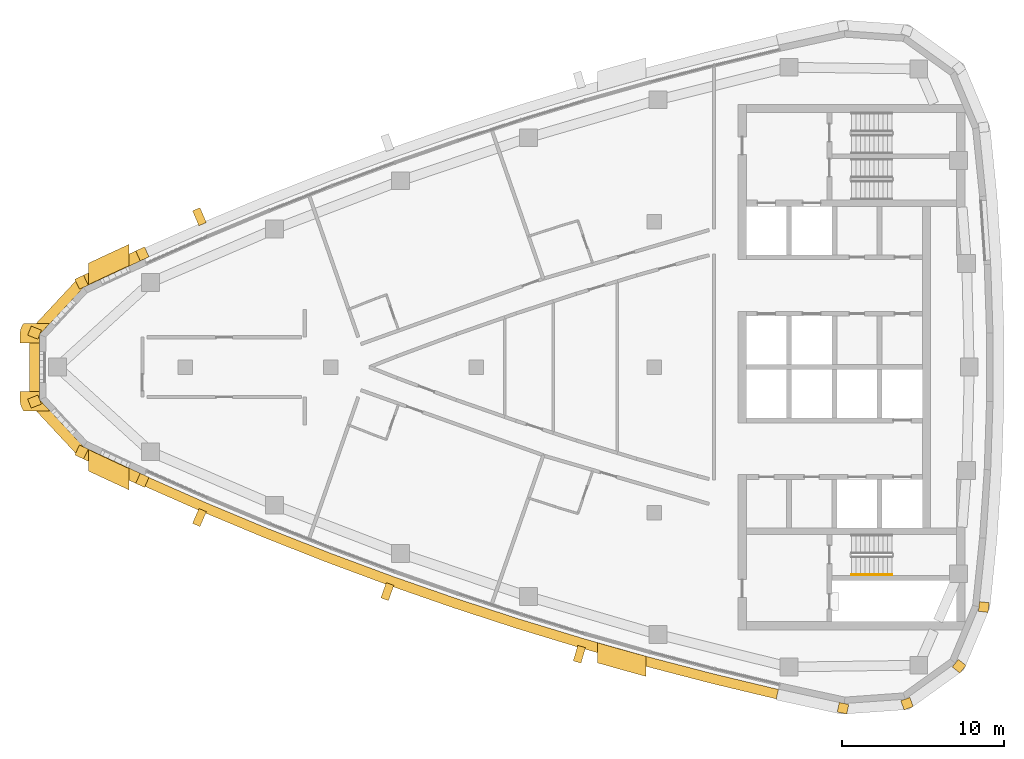
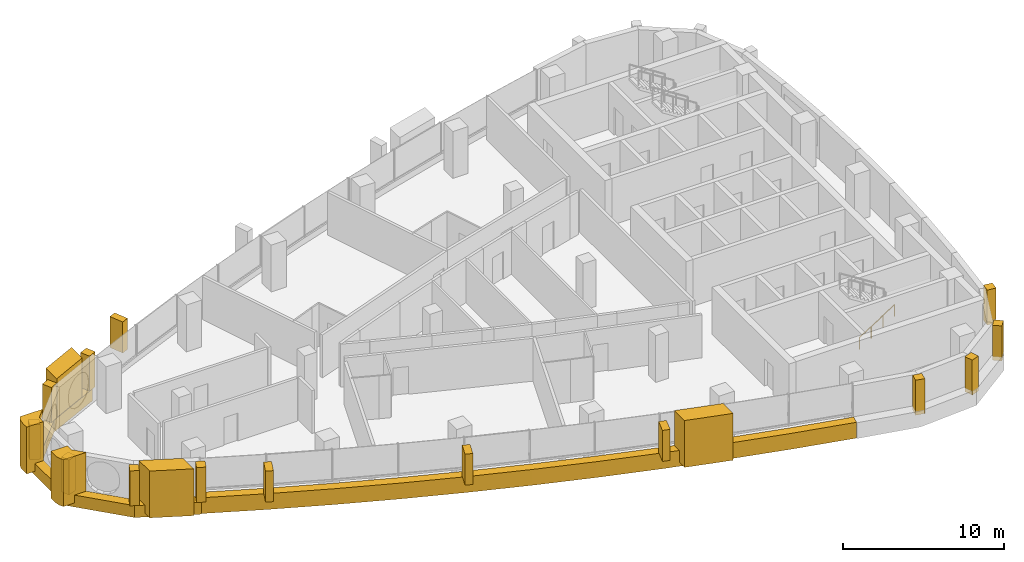
# One storey, part 10 of 13: 21 coverings, 1 railing.
"""IFC4 building model written with IfcOpenShell, lengths in metres."""

from ifc_helpers import new_model, si_unit, direction, frame, frame_2d, origin, origin_2d, place, context, subcontext, project, spatial, polyline, rectangle, circle, outline, extrude, material, layer, layer_set, type_object, element, save


model = new_model("IFC4")

# Units and contexts
model_context = context("Model", 3, precision=1e-05, world=origin(), true_north=direction((0.0, 1.0)))
body_context = subcontext(model_context, "Body", "Model", "MODEL_VIEW")
ifc_project = project(units=[si_unit("LENGTHUNIT", "METRE"), si_unit("AREAUNIT", "SQUARE_METRE"), si_unit("VOLUMEUNIT", "CUBIC_METRE"), si_unit("PLANEANGLEUNIT", "RADIAN"), si_unit("MASSUNIT", "GRAM", prefix="KILO")], contexts=[model_context])

# Site, building, storey
site_placement = place(None, origin())
site = spatial("IfcSite", under=ifc_project, at=site_placement, CompositionType="ELEMENT")
building_placement = place(site_placement, origin())
building = spatial("IfcBuilding", under=site, at=building_placement, Name="Ostrand Prow Hotel Tower", CompositionType="ELEMENT")
storey_placement = place(building_placement, frame((0.0, 0.0, 282.10009765625)))
storey = spatial("IfcBuildingStorey", under=building, at=storey_placement, Name="L71", CompositionType="ELEMENT", Elevation=282.10009765625)

# Coverings
ifc_material_1 = material(Name="Bronze anodised aluminium cladding", Category="aluminium")
ifc_layer_1 = layer(ifc_material_1, 0.60009765625)
ifc_layer_set_1 = layer_set([ifc_layer_1], Name="Bronze anodised aluminium cladding")
covering_type_1 = type_object("IfcCoveringType", Name="Bronze prow band 899x600", PredefinedType="CLADDING", material=ifc_layer_set_1)
covering_1_placement = place(storey_placement, frame((0.0, 0.0, -0.300048828125)))
element("IfcCovering", 1, at=covering_1_placement, inside=storey, type_object=covering_type_1, Name="Bronze prow band", PredefinedType="CLADDING", context=body_context, shape_type="SweptSolid", body=[
    extrude(outline(polyline([(13.195068359375, 7.316162109375), (9.424560546875, 5.559814453125), (6.348388671875, 2.2568359375), (6.348388671875, -2.2568359375), (9.424560546875, -5.559814453125), (13.195068359375, -7.316162109375), (13.47607421875, -6.697021484375), (9.718017578125, -4.9462890625), (6.981201171875, -2.0078125), (6.981201171875, 2.0078125), (9.718017578125, 4.9462890625), (13.47607421875, 6.697021484375), (13.195068359375, 7.316162109375)])), origin(), (0.0, 0.0, 1.0), 0.89990234375),
])
ifc_material_2 = material(Name="Bronze anodised aluminium cladding", Category="aluminium")
ifc_layer_2 = layer(ifc_material_2, 0.60009765625)
ifc_layer_set_2 = layer_set([ifc_layer_2], Name="Bronze anodised aluminium cladding")
covering_type_2 = type_object("IfcCoveringType", Name="Bronze spandrel band 1200x600", PredefinedType="CLADDING", material=ifc_layer_set_2)
covering_2_placement = place(storey_placement, frame((0.0, 0.0, -0.300048828125)))
element("IfcCovering", 2, at=covering_2_placement, inside=storey, type_object=covering_type_2, Name="Spandrel band S1", PredefinedType="CLADDING", context=body_context, shape_type="SweptSolid", body=[
    extrude(outline(polyline([(13.220947265625, -7.25927734375), (17.02490234375, -8.938720703125), (20.86181640625, -10.541748046875), (24.72998046875, -12.067138671875), (28.62841796875, -13.514404296875), (32.5546875, -14.88330078125), (36.508056640625, -16.172607421875), (40.486328125, -17.382568359375), (44.48828125, -18.51220703125), (48.51220703125, -19.56103515625), (52.55615234375, -20.52880859375), (52.68994140625, -19.94384765625), (48.65771484375, -18.97900390625), (44.6455078125, -17.93310546875), (40.6552734375, -16.806884765625), (36.6884765625, -15.6005859375), (32.74658203125, -14.314697265625), (28.83154296875, -12.949951171875), (24.944580078125, -11.5068359375), (21.08740234375, -9.98583984375), (17.26171875, -8.3876953125), (13.468994140625, -6.712890625), (13.220947265625, -7.25927734375)])), origin(), (0.0, 0.0, 1.0), 1.199951171875),
])
ifc_material_3 = material(Name="Limestone cladding", Category="masonry")
ifc_layer_3 = layer(ifc_material_3, 5.0)
ifc_layer_set_3 = layer_set([ifc_layer_3], Name="Limestone cladding")
covering_type_3 = type_object("IfcCoveringType", Name="Portal jamb pilaster limestone", PredefinedType="CLADDING", material=ifc_layer_set_3)
covering_3_placement = place(storey_placement, origin())
element("IfcCovering", 3, at=covering_3_placement, inside=storey, type_object=covering_type_3, Name="Portal jamb SA L71", PredefinedType="CLADDING", context=body_context, shape_type="SweptSolid", body=[
    extrude(outline(polyline([(10.0, -5.10009765625), (10.0, -6.428466796875), (10.833251953125, -6.8203125), (11.666748046875, -7.20751953125), (12.5, -7.590087890625), (12.5, -6.270263671875), (11.666748046875, -5.884765625), (10.833251953125, -5.494873046875), (10.0, -5.10009765625)])), origin(), (0.0, 0.0, 1.0), 3.5498046875),
])
covering_4_placement = place(storey_placement, origin())
element("IfcCovering", 4, at=covering_4_placement, inside=storey, type_object=covering_type_3, Name="Portal jamb SB L71", PredefinedType="CLADDING", context=body_context, shape_type="SweptSolid", body=[
    extrude(outline(polyline([(41.5, -17.052490234375), (41.5, -18.301025390625), (42.5, -18.585205078125), (43.5, -18.86376953125), (44.5, -19.136962890625), (44.5, -17.8935546875), (43.5, -17.61865234375), (42.5, -17.338134765625), (41.5, -17.052490234375)])), origin(), (0.0, 0.0, 1.0), 3.5498046875),
])
covering_5_placement = place(storey_placement, origin())
element("IfcCovering", 5, at=covering_5_placement, inside=storey, type_object=covering_type_3, Name="Portal jamb NA L71", PredefinedType="CLADDING", context=body_context, shape_type="SweptSolid", body=[
    extrude(outline(polyline([(10.0, 5.10009765625), (10.833251953125, 5.494873046875), (11.666748046875, 5.884765625), (12.5, 6.270263671875), (12.5, 7.590087890625), (11.666748046875, 7.20751953125), (10.833251953125, 6.8203125), (10.0, 6.428466796875), (10.0, 5.10009765625)])), origin(), (0.0, 0.0, 1.0), 3.5498046875),
])
ifc_material_4 = material(Name="Limestone cladding", Category="masonry")
ifc_layer_4 = layer(ifc_material_4, 0.5)
ifc_layer_set_4 = layer_set([ifc_layer_4], Name="Limestone cladding")
covering_type_4 = type_object("IfcCoveringType", Name="Precast stone fin 500x900", PredefinedType="CLADDING", material=ifc_layer_set_4)
covering_6_placement = place(storey_placement, frame((17.064453125, -8.846923828125, 0.89990234375), z_axis=(0.0, 0.0, 1.0), x_axis=(-0.394714590234, -0.918803783327, 0.0)))
element("IfcCovering", 6, at=covering_6_placement, inside=storey, type_object=covering_type_4, Name="Stone fin S 2", PredefinedType="CLADDING", context=body_context, shape_type="SweptSolid", body=[
    extrude(rectangle(XDim=1.000244140625, YDim=0.5, at=frame_2d((0.5, 0.0))), origin(), (0.0, 0.0, 1.0), 2.35009765625),
])
covering_7_placement = place(storey_placement, frame((28.662109375, -13.42041015625, 0.89990234375), z_axis=(0.0, 0.0, 1.0), x_axis=(-0.338624368902, -0.940921642213, 0.0)))
element("IfcCovering", 7, at=covering_7_placement, inside=storey, type_object=covering_type_4, Name="Stone fin S 5", PredefinedType="CLADDING", context=body_context, shape_type="SweptSolid", body=[
    extrude(rectangle(XDim=1.0, YDim=0.5, at=frame_2d((0.5, 0.0))), origin(), (0.0, 0.0, 1.0), 2.35009765625),
])
covering_8_placement = place(storey_placement, frame((40.5146484375, -17.28662109375, 0.89990234375), z_axis=(0.0, 0.0, 1.0), x_axis=(-0.281293696661, -0.959621725587, 0.0)))
element("IfcCovering", 8, at=covering_8_placement, inside=storey, type_object=covering_type_4, Name="Stone fin S 8", PredefinedType="CLADDING", context=body_context, shape_type="SweptSolid", body=[
    extrude(rectangle(XDim=0.999755859375, YDim=0.5, at=frame_2d((0.5, 0.0))), origin(), (0.0, 0.0, 1.0), 2.35009765625),
])
covering_9_placement = place(storey_placement, frame((17.064453125, 8.846923828125, 0.89990234375), z_axis=(0.0, 0.0, 1.0), x_axis=(-0.394714590234, 0.918803783327, 0.0)))
element("IfcCovering", 9, at=covering_9_placement, inside=storey, type_object=covering_type_4, Name="Stone fin N 10", PredefinedType="CLADDING", context=body_context, shape_type="SweptSolid", body=[
    extrude(rectangle(XDim=1.000244140625, YDim=0.5, at=frame_2d((0.5, 0.0))), origin(), (0.0, 0.0, 1.0), 2.35009765625),
])
ifc_material_5 = material(Name="Limestone cladding", Category="masonry")
ifc_layer_5 = layer(ifc_material_5, 0.60009765625)
ifc_layer_set_5 = layer_set([ifc_layer_5], Name="Limestone cladding")
covering_type_5 = type_object("IfcCoveringType", Name="Precast stone prow rib 600x600", PredefinedType="CLADDING", material=ifc_layer_set_5)
covering_10_placement = place(storey_placement, frame((13.47607421875, 6.697021484375, 0.599853515625), z_axis=(0.0, 0.0, 1.0), x_axis=(-0.413288868051, 0.910599973394, 0.0)))
element("IfcCovering", 10, at=covering_10_placement, inside=storey, type_object=covering_type_5, Name="Stone prow rib 1", PredefinedType="CLADDING", context=body_context, shape_type="SweptSolid", body=[
    extrude(rectangle(XDim=0.679931640625, YDim=0.60009765625, at=frame_2d((0.33984375, 0.0))), origin(), (0.0, 0.0, 1.0), 2.650146484375),
])
covering_11_placement = place(storey_placement, frame((9.718017578125, 4.9462890625, 0.599853515625), z_axis=(0.0, 0.0, 1.0), x_axis=(-0.431493603995, 0.902115995707, 0.0)))
element("IfcCovering", 11, at=covering_11_placement, inside=storey, type_object=covering_type_5, Name="Stone prow rib 2", PredefinedType="CLADDING", context=body_context, shape_type="SweptSolid", body=[
    extrude(rectangle(XDim=0.68017578125, YDim=0.60009765625, at=frame_2d((0.340087890625, 0.0))), origin(), (0.0, 0.0, 1.0), 2.650146484375),
])
for number, where, z_axis, x_axis, name in (
    (12, (6.981201171875, 2.0078125, 0.599853515625), (0.0, 0.0, 1.0), (-0.93054188789, 0.366185465142, 0.0), "Stone prow rib 3"),
    (13, (6.981201171875, -2.0078125, 0.599853515625), (0.0, 0.0, 1.0), (-0.93054188789, -0.366185465142, 0.0), "Stone prow rib 4"),
):
    element("IfcCovering", number, at=place(storey_placement, frame(where, z_axis=z_axis, x_axis=x_axis)), inside=storey, type_object=covering_type_5, Name=name, PredefinedType="CLADDING", context=body_context, shape_type="SweptSolid", body=[
        extrude(rectangle(XDim=0.679931640625, YDim=0.60009765625, at=frame_2d((0.33984375, 0.0))), origin(), (0.0, 0.0, 1.0), 2.650146484375),
    ])
covering_12_placement = place(storey_placement, frame((9.718017578125, -4.9462890625, 0.599853515625), z_axis=(0.0, 0.0, 1.0), x_axis=(-0.431493603995, -0.902115995707, 0.0)))
element("IfcCovering", 14, at=covering_12_placement, inside=storey, type_object=covering_type_5, Name="Stone prow rib 5", PredefinedType="CLADDING", context=body_context, shape_type="SweptSolid", body=[
    extrude(rectangle(XDim=0.68017578125, YDim=0.60009765625, at=frame_2d((0.340087890625, 0.0))), origin(), (0.0, 0.0, 1.0), 2.650146484375),
])
covering_13_placement = place(storey_placement, frame((13.47607421875, -6.697021484375, 0.599853515625), z_axis=(0.0, 0.0, 1.0), x_axis=(-0.413288868051, -0.910599973394, 0.0)))
element("IfcCovering", 15, at=covering_13_placement, inside=storey, type_object=covering_type_5, Name="Stone prow rib 6", PredefinedType="CLADDING", context=body_context, shape_type="SweptSolid", body=[
    extrude(rectangle(XDim=0.679931640625, YDim=0.60009765625, at=frame_2d((0.33984375, 0.0))), origin(), (0.0, 0.0, 1.0), 2.650146484375),
])
covering_14_placement = place(storey_placement, frame((56.744384765625, -20.810546875, 0.599853515625), z_axis=(0.0, 0.0, 1.0), x_axis=(-0.203385687349, -0.979098698897, 0.0)))
element("IfcCovering", 16, at=covering_14_placement, inside=storey, type_object=covering_type_5, Name="Stone corner rib 2a", PredefinedType="CLADDING", context=body_context, shape_type="SweptSolid", body=[
    extrude(rectangle(XDim=0.60009765625, YDim=0.60009765625, at=frame_2d((0.300048828125, 0.0))), origin(), (0.0, 0.0, 1.0), 2.650146484375),
])
for number, where, z_axis, x_axis, name in (
    (17, (60.540283203125, -20.539794921875, 0.599853515625), (0.0, 0.0, 1.0), (0.340664419472, -0.940184956966, 0.0), "Stone corner rib 3a"),
    (18, (63.630615234375, -18.318359375, 0.599853515625), (0.0, 0.0, 1.0), (0.782731736812, -0.622359243674, 0.0), "Stone corner rib 4a"),
):
    element("IfcCovering", number, at=place(storey_placement, frame(where, z_axis=z_axis, x_axis=x_axis)), inside=storey, type_object=covering_type_5, Name=name, PredefinedType="CLADDING", context=body_context, shape_type="SweptSolid", body=[
        extrude(rectangle(XDim=0.599853515625, YDim=0.60009765625, at=frame_2d((0.2998046875, 0.0))), origin(), (0.0, 0.0, 1.0), 2.650146484375),
    ])
covering_15_placement = place(storey_placement, frame((65.0966796875, -14.806396484375, 0.599853515625), z_axis=(0.0, 0.0, 1.0), x_axis=(0.992867207971, -0.119225447515, 0.0)))
element("IfcCovering", 19, at=covering_15_placement, inside=storey, type_object=covering_type_5, Name="Stone corner rib 4b", PredefinedType="CLADDING", context=body_context, shape_type="SweptSolid", body=[
    extrude(rectangle(XDim=0.60009765625, YDim=0.60009765625, at=frame_2d((0.300048828125, 0.0))), origin(), (0.0, 0.0, 1.0), 2.650146484375),
])
ifc_material_6 = material(Name="Limestone cladding", Category="masonry")
ifc_layer_6 = layer(ifc_material_6, 3.0)
ifc_layer_set_6 = layer_set([ifc_layer_6], Name="Limestone cladding")
covering_type_6 = type_object("IfcCoveringType", Name="Prow nose pier limestone", PredefinedType="CLADDING", material=ifc_layer_set_6)
covering_16_placement = place(storey_placement, origin())
element("IfcCovering", 20, at=covering_16_placement, inside=storey, type_object=covering_type_6, Name="Prow spine fin N L71", PredefinedType="CLADDING", context=body_context, shape_type="SweptSolid", body=[
    extrude(outline(polyline([(5.764892578125, 2.01416015625), (5.764892578125, 1.5), (6.96484375, 1.5), (6.96484375, 2.01416015625), (7.603515625, 2.699951171875), (5.981689453125, 2.699951171875), (5.94970703125, 2.654052734375), (5.894287109375, 2.55615234375), (5.84814453125, 2.45361328125), (5.81201171875, 2.34716796875), (5.785888671875, 2.23779296875), (5.77001953125, 2.12646484375), (5.764892578125, 2.01416015625)])), origin(), (0.0, 0.0, 1.0), 3.5498046875),
])
covering_17_placement = place(storey_placement, origin())
element("IfcCovering", 21, at=covering_17_placement, inside=storey, type_object=covering_type_6, Name="Prow spine fin S L71", PredefinedType="CLADDING", context=body_context, shape_type="SweptSolid", body=[
    extrude(outline(polyline([(5.94970703125, -2.654052734375), (5.981689453125, -2.699951171875), (7.603515625, -2.699951171875), (6.96484375, -2.01416015625), (6.96484375, -1.5), (5.764892578125, -1.5), (5.764892578125, -2.01416015625), (5.77001953125, -2.12646484375), (5.785888671875, -2.23779296875), (5.81201171875, -2.34716796875), (5.84814453125, -2.45361328125), (5.894287109375, -2.55615234375), (5.94970703125, -2.654052734375)])), origin(), (0.0, 0.0, 1.0), 3.5498046875),
])

# Railing
ifc_material_7 = material(Name="Stainless steel", Category="steel")
railing_type = type_object("IfcRailingType", Name="Stair handrail 900", PredefinedType="HANDRAIL", material=ifc_material_7)
railing_placement = place(storey_placement, frame((57.199951171875, -12.85009765625, 0.177490234375)))
element("IfcRailing", 22, at=railing_placement, inside=storey, type_object=railing_type, Name="L71 ST2C stair handrail 1", PredefinedType="HANDRAIL", context=body_context, shape_type="SweptSolid", body=[
    extrude(circle(Radius=0.02392578125, at=origin_2d()), frame((0.0, 0.0, 0.8759765625), z_axis=(0.84460694969, 0.0, 0.535386869969), x_axis=(0.0, 1.0, 0.0)), (0.0, 0.0, 1.0), 2.983642578125),
    extrude(circle(Radius=0.02099609375, at=origin_2d()), origin(), (0.0, 0.0, 1.0), 0.851806640625),
    extrude(circle(Radius=0.02099609375, at=origin_2d()), frame((0.840087890625, 0.0, 0.532470703125)), (0.0, 0.0, 1.0), 0.851806640625),
    extrude(circle(Radius=0.02099609375, at=origin_2d()), frame((1.679931640625, 0.0, 1.06494140625)), (0.0, 0.0, 1.0), 0.851806640625),
    extrude(circle(Radius=0.02099609375, at=origin_2d()), frame((2.52001953125, 0.0, 1.597412109375)), (0.0, 0.0, 1.0), 0.851806640625),
])

save(model, "model.ifc")
